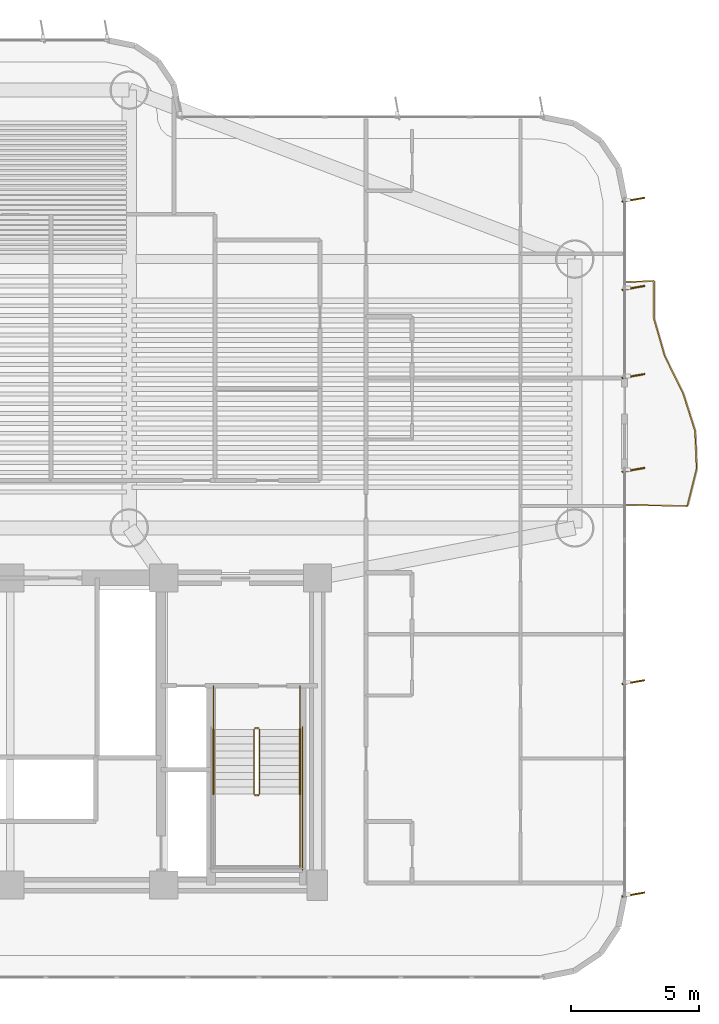
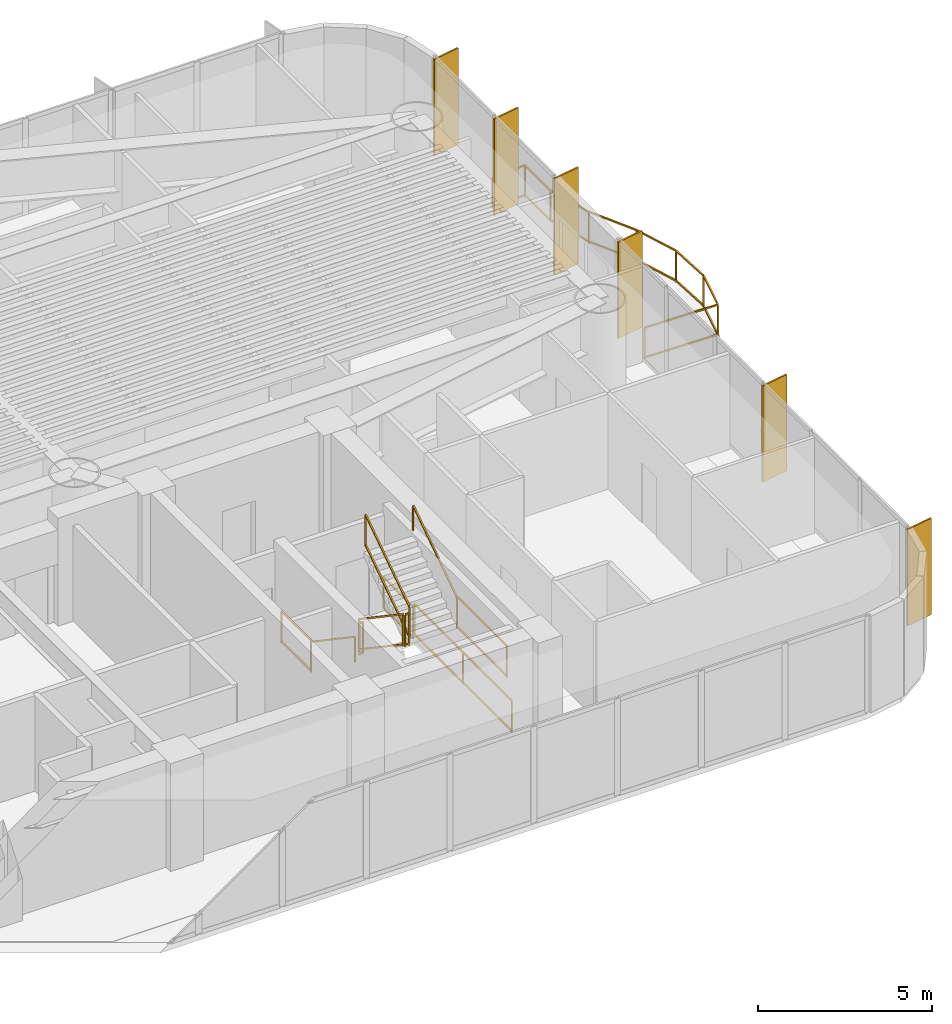
# One storey, part 16 of 17: 11 railings, 6 shading devices.
"""IFC4 building model written with IfcOpenShell, lengths in metres."""

from ifc_helpers import new_model, si_unit, direction, frame, origin, origin_2d, place, context, subcontext, project, spatial, rectangle, extrude, source, transform, mapped, material, layer, layer_set, material_profile, profile_set, type_object, element, save


model = new_model("IFC4")

# Units and contexts
model_context = context("Model", 3, precision=1e-05, world=origin(), true_north=direction((0.0, 1.0)))
body_context = subcontext(model_context, "Body", "Model", "MODEL_VIEW")
ifc_project = project(units=[si_unit("LENGTHUNIT", "METRE"), si_unit("AREAUNIT", "SQUARE_METRE"), si_unit("VOLUMEUNIT", "CUBIC_METRE"), si_unit("PLANEANGLEUNIT", "RADIAN"), si_unit("MASSUNIT", "GRAM", prefix="KILO")], contexts=[model_context])

# Site, building, storey
site_placement = place(None, origin())
site = spatial("IfcSite", under=ifc_project, at=site_placement, CompositionType="ELEMENT")
building_placement = place(site_placement, origin())
building = spatial("IfcBuilding", under=site, at=building_placement, Name="Brelvock Crest Care Tower", CompositionType="ELEMENT")
storey_placement = place(building_placement, frame((0.0, 0.0, 76.139892578125)))
storey = spatial("IfcBuildingStorey", under=building, at=storey_placement, Name="L19", CompositionType="ELEMENT", Elevation=76.139892578125)

# Railings
ifc_material_1 = material(Name="Dark Glass Double Glazed Low-E", Category="glass")
ifc_layer_1 = layer(ifc_material_1, 0.06005859375, Name="RL-BAL1")
ifc_layer_set_1 = layer_set([ifc_layer_1], Name="Dark Glass Double Glazed Low-E")
railing_type_1 = type_object("IfcRailingType", Name="RL-BAL1", PredefinedType="BALUSTRADE", material=ifc_layer_set_1)
railing_1_placement = place(storey_placement, frame((60.0400390625, 20.85009765625, 0.004150390625)))
element("IfcRailing", 1, at=railing_1_placement, inside=storey, type_object=railing_type_1, Name="L19 Safety Balustrade WB-E", PredefinedType="BALUSTRADE", context=body_context, shape_type="SweptSolid", body=[
    extrude(rectangle(XDim=0.048095703125, YDim=0.048095703125, at=origin_2d()), frame((0.001953125, 0.0, 1.09619140625), z_axis=(0.999783452903, -0.020809788592, 0.0), x_axis=(0.020809788592, 0.999783452903, 0.0)), (0.0, 0.0, 1.0), 2.401123046875),
    extrude(rectangle(XDim=0.048095703125, YDim=0.048095703125, at=origin_2d()), frame((0.001953125, 0.0, 0.054931640625), z_axis=(0.999783452903, -0.020809788592, 0.0), x_axis=(0.020809788592, 0.999783452903, 0.0)), (0.0, 0.0, 1.0), 2.401123046875),
    extrude(rectangle(XDim=0.048095703125, YDim=0.048095703125, at=origin_2d()), frame((2.405029296875, -0.048095703125, 1.09619140625), z_axis=(0.242117552355, 0.970246922614, 0.0), x_axis=(-0.970246922614, 0.242117552355, 0.0)), (0.0, 0.0, 1.0), 1.507568359375),
    extrude(rectangle(XDim=0.048095703125, YDim=0.048095703125, at=origin_2d()), frame((2.405029296875, -0.048095703125, 0.054931640625), z_axis=(0.242117552355, 0.970246922614, 0.0), x_axis=(-0.970246922614, 0.242117552355, 0.0)), (0.0, 0.0, 1.0), 1.507568359375),
    extrude(rectangle(XDim=0.048095703125, YDim=0.048095703125, at=origin_2d()), frame((2.7705078125, 1.41845703125, 1.09619140625), z_axis=(-0.041077151543, 0.999155977624, 0.0), x_axis=(-0.999155977624, -0.041077151543, 0.0)), (0.0, 0.0, 1.0), 1.464111328125),
    extrude(rectangle(XDim=0.048095703125, YDim=0.048095703125, at=origin_2d()), frame((2.7705078125, 1.41845703125, 0.054931640625), z_axis=(-0.041077151543, 0.999155977624, 0.0), x_axis=(-0.999155977624, -0.041077151543, 0.0)), (0.0, 0.0, 1.0), 1.464111328125),
    extrude(rectangle(XDim=0.048095703125, YDim=0.048095703125, at=origin_2d()), frame((2.709716796875, 2.88525390625, 1.09619140625), z_axis=(-0.303301869787, 0.952894525005, 0.0), x_axis=(-0.952894525005, -0.303301869787, 0.0)), (0.0, 0.0, 1.0), 1.53515625),
    extrude(rectangle(XDim=0.048095703125, YDim=0.048095703125, at=origin_2d()), frame((2.709716796875, 2.88525390625, 0.054931640625), z_axis=(-0.303301869787, 0.952894525005, 0.0), x_axis=(-0.952894525005, -0.303301869787, 0.0)), (0.0, 0.0, 1.0), 1.53515625),
    extrude(rectangle(XDim=0.048095703125, YDim=0.048095703125, at=origin_2d()), frame((2.242431640625, 4.3515625, 1.09619140625), z_axis=(-0.441950250365, 0.897039562228, 0.0), x_axis=(-0.897039562228, -0.441950250365, 0.0)), (0.0, 0.0, 1.0), 1.631103515625),
    extrude(rectangle(XDim=0.048095703125, YDim=0.048095703125, at=origin_2d()), frame((2.242431640625, 4.3515625, 0.054931640625), z_axis=(-0.441950250365, 0.897039562228, 0.0), x_axis=(-0.897039562228, -0.441950250365, 0.0)), (0.0, 0.0, 1.0), 1.631103515625),
    extrude(rectangle(XDim=0.048095703125, YDim=0.048095703125, at=origin_2d()), frame((1.520263671875, 5.818603515625, 1.09619140625), z_axis=(-0.275862158138, 0.96119720646, 0.0), x_axis=(-0.96119720646, -0.275862158138, 0.0)), (0.0, 0.0, 1.0), 1.521728515625),
    extrude(rectangle(XDim=0.048095703125, YDim=0.048095703125, at=origin_2d()), frame((1.520263671875, 5.818603515625, 0.054931640625), z_axis=(-0.275862158138, 0.96119720646, 0.0), x_axis=(-0.96119720646, -0.275862158138, 0.0)), (0.0, 0.0, 1.0), 1.521728515625),
    extrude(rectangle(XDim=0.048095703125, YDim=0.048095703125, at=origin_2d()), frame((1.099853515625, 7.28515625, 1.09619140625), z_axis=(0.0, 1.0, 0.0), x_axis=(-1.0, 0.0, 0.0)), (0.0, 0.0, 1.0), 1.462890625),
    extrude(rectangle(XDim=0.048095703125, YDim=0.048095703125, at=origin_2d()), frame((1.099853515625, 7.28515625, 0.054931640625), z_axis=(0.0, 1.0, 0.0), x_axis=(-1.0, 0.0, 0.0)), (0.0, 0.0, 1.0), 1.462890625),
    extrude(rectangle(XDim=0.048095703125, YDim=0.048095703125, at=origin_2d()), frame((1.097900390625, 8.75, 1.09619140625), z_axis=(-0.998966252902, -0.045457953795, 0.0), x_axis=(0.045457953795, -0.998966252902, 0.0)), (0.0, 0.0, 1.0), 1.096923828125),
    extrude(rectangle(XDim=0.048095703125, YDim=0.048095703125, at=origin_2d()), frame((1.097900390625, 8.75, 0.054931640625), z_axis=(-0.998966252902, -0.045457953795, 0.0), x_axis=(0.045457953795, -0.998966252902, 0.0)), (0.0, 0.0, 1.0), 1.096923828125),
    extrude(rectangle(XDim=0.0419921875, YDim=0.0419921875, at=origin_2d()), origin(), (0.0, 0.0, 1.0), 1.070068359375),
    extrude(rectangle(XDim=0.0419921875, YDim=0.0419921875, at=origin_2d()), frame((2.404541015625, -0.050048828125, 0.0)), (0.0, 0.0, 1.0), 1.070068359375),
    extrude(rectangle(XDim=0.0419921875, YDim=0.0419921875, at=origin_2d()), frame((2.7705078125, 1.41650390625, 0.0)), (0.0, 0.0, 1.0), 1.070068359375),
    extrude(rectangle(XDim=0.0419921875, YDim=0.0419921875, at=origin_2d()), frame((2.710205078125, 2.88330078125, 0.0)), (0.0, 0.0, 1.0), 1.070068359375),
    extrude(rectangle(XDim=0.0419921875, YDim=0.0419921875, at=origin_2d()), frame((2.243408203125, 4.349853515625, 0.0)), (0.0, 0.0, 1.0), 1.070068359375),
    extrude(rectangle(XDim=0.0419921875, YDim=0.0419921875, at=origin_2d()), frame((1.520751953125, 5.816650390625, 0.0)), (0.0, 0.0, 1.0), 1.070068359375),
    extrude(rectangle(XDim=0.0419921875, YDim=0.0419921875, at=origin_2d()), frame((1.099853515625, 7.283203125, 0.0)), (0.0, 0.0, 1.0), 1.070068359375),
    extrude(rectangle(XDim=0.0419921875, YDim=0.0419921875, at=origin_2d()), frame((1.099853515625, 8.75, 0.0)), (0.0, 0.0, 1.0), 1.070068359375),
    extrude(rectangle(XDim=0.0419921875, YDim=0.0419921875, at=origin_2d()), frame((0.0, 8.699951171875, 0.0)), (0.0, 0.0, 1.0), 1.070068359375),
])
ifc_material_2 = material(Name="Steel Grade 350", Category="steel")
ifc_layer_2 = layer(ifc_material_2, 0.050048828125, Name="RL-STG1")
ifc_layer_set_2 = layer_set([ifc_layer_2], Name="Steel Grade 350")
railing_type_2 = type_object("IfcRailingType", Name="RL-STG1", PredefinedType="GUARDRAIL", material=ifc_layer_set_2)
railing_2_placement = place(storey_placement, frame((45.52001953125, 12.080078125, 0.189208984375)))
element("IfcRailing", 2, at=railing_2_placement, inside=storey, type_object=railing_type_2, Name="L19 ST-2 stair guard 1", PredefinedType="GUARDRAIL", context=body_context, shape_type="SweptSolid", body=[
    extrude(rectangle(XDim=0.048095703125, YDim=0.048095703125, at=origin_2d()), frame((0.0, -0.001708984375, 1.116943359375), z_axis=(0.0, -0.828861706735, 0.559453546873), x_axis=(1.0, 0.0, 0.0)), (0.0, 0.0, 1.0), 3.036376953125),
    extrude(rectangle(XDim=0.048095703125, YDim=0.048095703125, at=origin_2d()), frame((0.0, -0.001708984375, 0.05615234375), z_axis=(0.0, -0.828861706735, 0.559453546873), x_axis=(1.0, 0.0, 0.0)), (0.0, 0.0, 1.0), 3.036376953125),
    extrude(rectangle(XDim=0.0419921875, YDim=0.0419921875, at=origin_2d()), origin(), (0.0, 0.0, 1.0), 1.08984375),
    extrude(rectangle(XDim=0.0419921875, YDim=0.0419921875, at=origin_2d()), frame((0.0, -2.52001953125, 1.700927734375)), (0.0, 0.0, 1.0), 1.08984375),
])
railing_3_placement = place(storey_placement, frame((45.570068359375, 9.510009765625, 1.89013671875)))
element("IfcRailing", 3, at=railing_3_placement, inside=storey, type_object=railing_type_2, Name="L19 ST-2 stair guard 2", PredefinedType="GUARDRAIL", context=body_context, shape_type="SweptSolid", body=[
    extrude(rectangle(XDim=0.048095703125, YDim=0.048095703125, at=origin_2d()), frame((0.001953125, 0.0, 1.11572265625), z_axis=(1.0, 0.0, 0.0), x_axis=(0.0, 1.0, 0.0)), (0.0, 0.0, 1.0), 0.115966796875),
    extrude(rectangle(XDim=0.048095703125, YDim=0.048095703125, at=origin_2d()), frame((0.001953125, 0.0, 0.054931640625), z_axis=(1.0, 0.0, 0.0), x_axis=(0.0, 1.0, 0.0)), (0.0, 0.0, 1.0), 0.115966796875),
    extrude(rectangle(XDim=0.0419921875, YDim=0.0419921875, at=origin_2d()), origin(), (0.0, 0.0, 1.0), 1.08984375),
    extrude(rectangle(XDim=0.0419921875, YDim=0.0419921875, at=origin_2d()), frame((0.119873046875, 0.0, 0.0)), (0.0, 0.0, 1.0), 1.08984375),
])
railing_4_placement = place(storey_placement, frame((47.320068359375, 9.56005859375, 1.89013671875)))
element("IfcRailing", 4, at=railing_4_placement, inside=storey, type_object=railing_type_2, Name="L19 ST-2 stair guard 4", PredefinedType="GUARDRAIL", context=body_context, shape_type="SweptSolid", body=[
    extrude(rectangle(XDim=0.048095703125, YDim=0.048095703125, at=origin_2d()), frame((0.0, -0.001953125, 1.11572265625), z_axis=(0.0, -1.0, 0.0), x_axis=(1.0, 0.0, 0.0)), (0.0, 0.0, 1.0), 2.856201171875),
    extrude(rectangle(XDim=0.048095703125, YDim=0.048095703125, at=origin_2d()), frame((0.0, -0.001953125, 0.054931640625), z_axis=(0.0, -1.0, 0.0), x_axis=(1.0, 0.0, 0.0)), (0.0, 0.0, 1.0), 2.856201171875),
    extrude(rectangle(XDim=0.0419921875, YDim=0.0419921875, at=origin_2d()), origin(), (0.0, 0.0, 1.0), 1.08984375),
    extrude(rectangle(XDim=0.0419921875, YDim=0.0419921875, at=origin_2d()), frame((0.0, -2.860107421875, 0.0)), (0.0, 0.0, 1.0), 1.08984375),
])
railing_5_placement = place(storey_placement, frame((45.739990234375, 9.56005859375, 2.0791015625)))
element("IfcRailing", 5, at=railing_5_placement, inside=storey, type_object=railing_type_2, Name="L19 ST-2 stair guard 6", PredefinedType="GUARDRAIL", context=body_context, shape_type="SweptSolid", body=[
    extrude(rectangle(XDim=0.048095703125, YDim=0.048095703125, at=origin_2d()), frame((0.0, 0.001708984375, 1.116943359375), z_axis=(0.0, 0.828861706735, 0.559453546873), x_axis=(-1.0, 0.0, 0.0)), (0.0, 0.0, 1.0), 3.036376953125),
    extrude(rectangle(XDim=0.048095703125, YDim=0.048095703125, at=origin_2d()), frame((0.0, 0.001708984375, 0.05615234375), z_axis=(0.0, 0.828861706735, 0.559453546873), x_axis=(-1.0, 0.0, 0.0)), (0.0, 0.0, 1.0), 3.036376953125),
    extrude(rectangle(XDim=0.0419921875, YDim=0.0419921875, at=origin_2d()), origin(), (0.0, 0.0, 1.0), 1.08984375),
    extrude(rectangle(XDim=0.0419921875, YDim=0.0419921875, at=origin_2d()), frame((0.0, 2.52001953125, 1.700927734375)), (0.0, 0.0, 1.0), 1.08984375),
])
railing_6_placement = place(storey_placement, frame((45.570068359375, 12.1298828125, 0.0)))
element("IfcRailing", 6, at=railing_6_placement, inside=storey, type_object=railing_type_2, Name="L19 ST-2 stair guard 7", PredefinedType="GUARDRAIL", context=body_context, shape_type="SweptSolid", body=[
    extrude(rectangle(XDim=0.048095703125, YDim=0.048095703125, at=origin_2d()), frame((0.001953125, 0.0, 1.11572265625), z_axis=(1.0, 0.0, 0.0), x_axis=(0.0, 1.0, 0.0)), (0.0, 0.0, 1.0), 0.115966796875),
    extrude(rectangle(XDim=0.048095703125, YDim=0.048095703125, at=origin_2d()), frame((0.001953125, 0.0, 0.054931640625), z_axis=(1.0, 0.0, 0.0), x_axis=(0.0, 1.0, 0.0)), (0.0, 0.0, 1.0), 0.115966796875),
    extrude(rectangle(XDim=0.0419921875, YDim=0.0419921875, at=origin_2d()), origin(), (0.0, 0.0, 1.0), 1.08984375),
    extrude(rectangle(XDim=0.0419921875, YDim=0.0419921875, at=origin_2d()), frame((0.119873046875, 0.0, 0.0)), (0.0, 0.0, 1.0), 1.08984375),
])
for number, where, name in (
    (7, (43.93994140625, 13.780029296875, 0.0), "L19 ST-2 stair guard 8"),
    (8, (47.320068359375, 13.780029296875, 0.0), "L19 ST-2 stair guard 9"),
):
    element("IfcRailing", number, at=place(storey_placement, frame(where)), inside=storey, type_object=railing_type_2, Name=name, PredefinedType="GUARDRAIL", context=body_context, shape_type="SweptSolid", body=[
        extrude(rectangle(XDim=0.048095703125, YDim=0.048095703125, at=origin_2d()), frame((0.0, -0.001953125, 1.11572265625), z_axis=(0.0, -1.0, 0.0), x_axis=(1.0, 0.0, 0.0)), (0.0, 0.0, 1.0), 1.696044921875),
        extrude(rectangle(XDim=0.048095703125, YDim=0.048095703125, at=origin_2d()), frame((0.0, -0.001953125, 0.054931640625), z_axis=(0.0, -1.0, 0.0), x_axis=(1.0, 0.0, 0.0)), (0.0, 0.0, 1.0), 1.696044921875),
        extrude(rectangle(XDim=0.0419921875, YDim=0.0419921875, at=origin_2d()), origin(), (0.0, 0.0, 1.0), 1.08984375),
        extrude(rectangle(XDim=0.0419921875, YDim=0.0419921875, at=origin_2d()), frame((0.0, -1.699951171875, 0.0)), (0.0, 0.0, 1.0), 1.08984375),
    ])
railing_7_placement = place(storey_placement, frame((47.419921875, 12.179931640625, 0.0)))
element("IfcRailing", 9, at=railing_7_placement, inside=storey, type_object=railing_type_2, Name="L19 ST-2 stair guard 11", PredefinedType="GUARDRAIL", context=body_context, shape_type="SweptSolid", body=[
    extrude(rectangle(XDim=0.048095703125, YDim=0.048095703125, at=origin_2d()), frame((0.0, -0.001953125, 1.11572265625), z_axis=(0.0, -1.0, 0.0), x_axis=(1.0, 0.0, 0.0)), (0.0, 0.0, 1.0), 5.575927734375),
    extrude(rectangle(XDim=0.048095703125, YDim=0.048095703125, at=origin_2d()), frame((0.0, -0.001953125, 0.054931640625), z_axis=(0.0, -1.0, 0.0), x_axis=(1.0, 0.0, 0.0)), (0.0, 0.0, 1.0), 5.575927734375),
    extrude(rectangle(XDim=0.0419921875, YDim=0.0419921875, at=origin_2d()), origin(), (0.0, 0.0, 1.0), 1.08984375),
    extrude(rectangle(XDim=0.0419921875, YDim=0.0419921875, at=origin_2d()), frame((0.0, -2.7900390625, 0.0)), (0.0, 0.0, 1.0), 1.08984375),
    extrude(rectangle(XDim=0.0419921875, YDim=0.0419921875, at=origin_2d()), frame((0.0, -5.579833984375, 0.0)), (0.0, 0.0, 1.0), 1.08984375),
])
ifc_layer_3 = layer(ifc_material_2, 0.048095703125, Name="RL-STH1")
ifc_layer_set_3 = layer_set([ifc_layer_3], Name="Steel Grade 350")
railing_type_3 = type_object("IfcRailingType", Name="RL-STH1", PredefinedType="HANDRAIL", material=ifc_layer_set_3)
railing_8_placement = place(storey_placement, frame((43.93994140625, 12.080078125, 0.189208984375)))
element("IfcRailing", 10, at=railing_8_placement, inside=storey, type_object=railing_type_3, Name="L19 ST-2 stair handrail 1", PredefinedType="HANDRAIL", context=body_context, shape_type="SweptSolid", body=[
    extrude(rectangle(XDim=0.048095703125, YDim=0.048095703125, at=origin_2d()), frame((0.0, -0.001708984375, 0.876953125), z_axis=(0.0, -0.828861706735, 0.559453546873), x_axis=(1.0, 0.0, 0.0)), (0.0, 0.0, 1.0), 3.036376953125),
    extrude(rectangle(XDim=0.0419921875, YDim=0.0419921875, at=origin_2d()), origin(), (0.0, 0.0, 1.0), 0.849853515625),
    extrude(rectangle(XDim=0.0419921875, YDim=0.0419921875, at=origin_2d()), frame((0.0, -2.52001953125, 1.700927734375)), (0.0, 0.0, 1.0), 0.849853515625),
])
railing_9_placement = place(storey_placement, frame((47.320068359375, 9.56005859375, 2.0791015625)))
element("IfcRailing", 11, at=railing_9_placement, inside=storey, type_object=railing_type_3, Name="L19 ST-2 stair handrail 2", PredefinedType="HANDRAIL", context=body_context, shape_type="SweptSolid", body=[
    extrude(rectangle(XDim=0.048095703125, YDim=0.048095703125, at=origin_2d()), frame((0.0, 0.001708984375, 0.876953125), z_axis=(0.0, 0.828861706735, 0.559453546873), x_axis=(-1.0, 0.0, 0.0)), (0.0, 0.0, 1.0), 3.036376953125),
    extrude(rectangle(XDim=0.0419921875, YDim=0.0419921875, at=origin_2d()), origin(), (0.0, 0.0, 1.0), 0.849853515625),
    extrude(rectangle(XDim=0.0419921875, YDim=0.0419921875, at=origin_2d()), frame((0.0, 2.52001953125, 1.700927734375)), (0.0, 0.0, 1.0), 0.849853515625),
])

# Shading devices
ifc_material_3 = material(Name="Aluminium 6063-T6", Category="aluminium")
ifc_material_profile = material_profile(ifc_material_3, rectangle(XDim=0.054931640625, YDim=0.89990234375, at=origin_2d()), Name="FIN55x900")
ifc_profile_set = profile_set([ifc_material_profile], Name="Aluminium 6063-T6")
shading_device_type = type_object("IfcShadingDeviceType", Name="SHD-FIN1", PredefinedType="USERDEFINED", material=ifc_profile_set)
shared_shape = source(origin(), body_context, "Body", "SweptSolid", [
    extrude(rectangle(XDim=0.054931640625, YDim=0.89990234375, at=origin_2d()), origin(), (0.0, 0.0, 1.0), 3.3720703125),
])
for number, where, z_axis, x_axis, name in (
    (12, (60.340087890625, 32.767578125, 0.0), (0.0, 0.0, 1.0), (0.173648177667, -0.984807753012, 0.0), "L19 Vertical Sunshade Fin E03A-01"),
    (13, (60.340087890625, 29.324951171875, 0.0), (0.0, 0.0, 1.0), (0.173648177667, -0.984807753012, 0.0), "L19 Vertical Sunshade Fin E03A-02"),
    (14, (60.340087890625, 25.882568359375, 0.0), (0.0, 0.0, 1.0), (0.173648177667, -0.984807753012, 0.0), "L19 Vertical Sunshade Fin E03A-03"),
    (15, (60.340087890625, 22.217529296875, 0.0), (0.0, 0.0, 1.0), (0.173648177667, -0.984807753012, 0.0), "L19 Vertical Sunshade Fin E03B-01"),
    (16, (60.340087890625, 13.925048828125, 0.0), (0.0, 0.0, 1.0), (0.173648177667, -0.984807753012, 0.0), "L19 Vertical Sunshade Fin E03B-04"),
    (17, (60.340087890625, 5.632568359375, 0.0), (0.0, 0.0, 1.0), (0.173648177667, -0.984807753012, 0.0), "L19 Vertical Sunshade Fin E03B-07"),
):
    element("IfcShadingDevice", number, at=place(storey_placement, frame(where, z_axis=z_axis, x_axis=x_axis)), inside=storey, type_object=shading_device_type, Name=name, ObjectType="FIN", PredefinedType="USERDEFINED", context=body_context, shape_type="MappedRepresentation", body=[
        mapped(shared_shape, transform((0.0, 0.0, 0.0), x_axis=(1.0, 0.0, 0.0), y_axis=(0.0, 1.0, 0.0), z_axis=(0.0, 0.0, 1.0), scale=1.0)),
    ])

save(model, "model.ifc")
